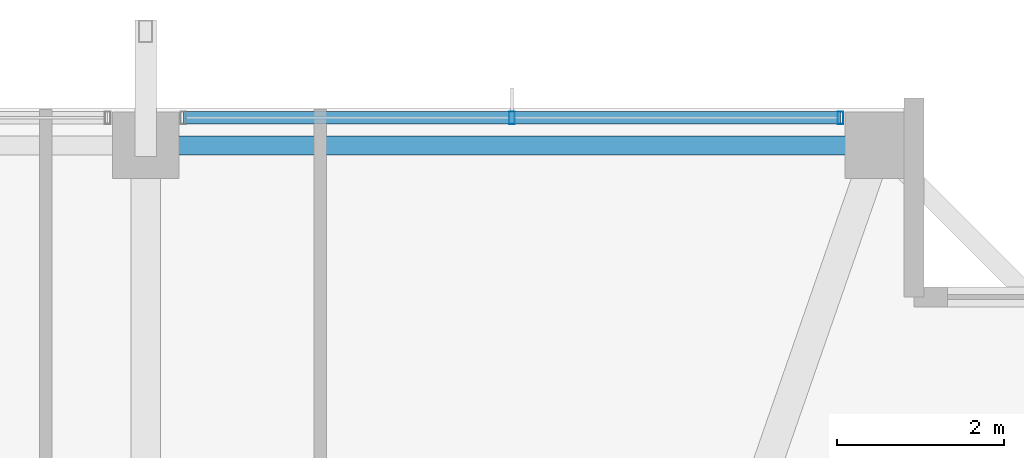
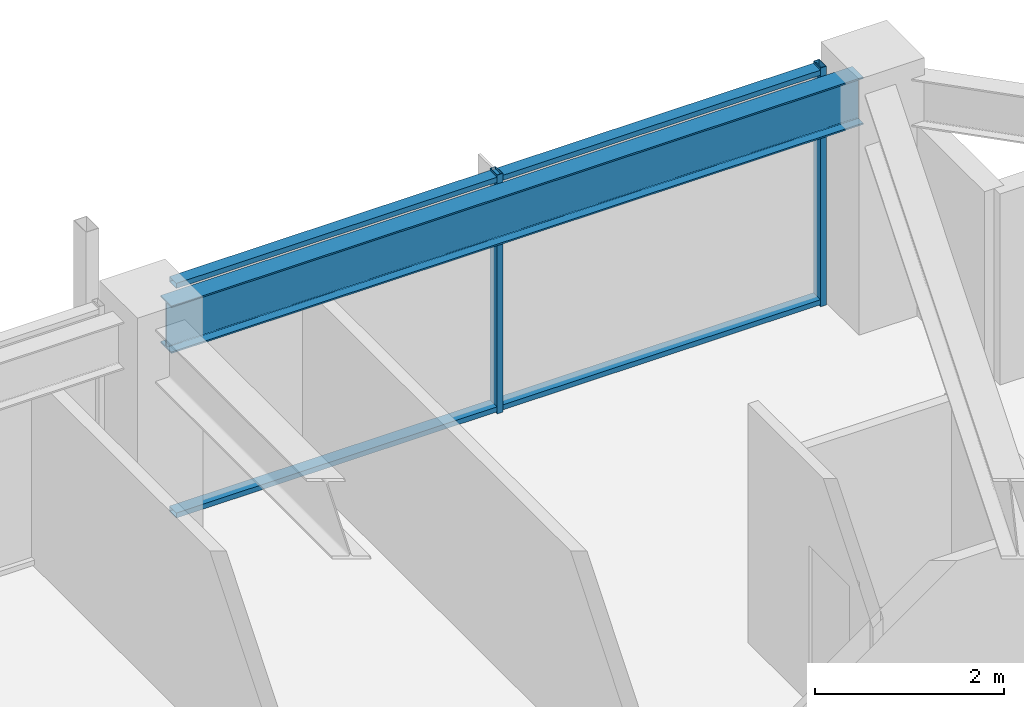
# One storey, part 21 of 35: 4 members, 1 beam, 1 element without a shape of its own.
"""IFC4 building model written with IfcOpenShell, lengths in metres."""

from ifc_helpers import new_model, si_unit, direction, frame, origin, origin_2d, place, context, subcontext, project, spatial, hollow_rectangle, i_section, extrude, material, material_profile, profile_set, type_object, element, aggregate, save


model = new_model("IFC4")

# Units and contexts
model_context = context("Model", 3, precision=1e-05, world=origin(), true_north=direction((0.0, 1.0)))
body_context = subcontext(model_context, "Body", "Model", "MODEL_VIEW")
ifc_project = project(units=[si_unit("LENGTHUNIT", "METRE"), si_unit("AREAUNIT", "SQUARE_METRE"), si_unit("VOLUMEUNIT", "CUBIC_METRE"), si_unit("PLANEANGLEUNIT", "RADIAN"), si_unit("MASSUNIT", "GRAM", prefix="KILO")], contexts=[model_context])

# Site, building, storey
site_placement = place(None, origin())
site = spatial("IfcSite", under=ifc_project, at=site_placement, CompositionType="ELEMENT")
building_placement = place(site_placement, origin())
building = spatial("IfcBuilding", under=site, at=building_placement, Name="Kolvaren Belvedere", CompositionType="ELEMENT")
storey_placement = place(building_placement, frame((0.0, 0.0, 216.300048828125)))
storey = spatial("IfcBuildingStorey", under=building, at=storey_placement, Name="L63", CompositionType="ELEMENT", Elevation=216.300048828125)

# Beam
ifc_material_1 = material(Name="Structural steel ASTM A992 Grade 50", Category="steel")
ifc_material_profile_1 = material_profile(ifc_material_1, i_section(OverallWidth=0.22900390625, OverallDepth=0.612060546875, WebThickness=0.011962890625, FlangeThickness=0.01953125, FilletRadius=0.01806640625, at=origin_2d()), Name="W24X84")
ifc_profile_set_1 = profile_set([ifc_material_profile_1], Name="Structural steel ASTM A992 Grade 50")
beam_type = type_object("IfcBeamType", Name="BM-SPAN-W24X84", PredefinedType="SPANDREL", material=ifc_profile_set_1)
beam_placement = place(storey_placement, frame((13.219970703125, 19.949951171875, 2.77392578125), z_axis=(-1.0, 0.0, 0.0), x_axis=(0.0, -1.0, 0.0)))
element("IfcBeam", 1, at=beam_placement, inside=storey, type_object=beam_type, Name="L63 Perimeter Spandrel N4-N3", PredefinedType="SPANDREL", context=body_context, shape_type="SweptSolid", body=[
    extrude(i_section(OverallWidth=0.22900390625, OverallDepth=0.612060546875, WebThickness=0.011962890625, FlangeThickness=0.01953125, FilletRadius=0.01806640625, at=origin_2d()), origin(), (0.0, 0.0, 1.0), 8.43994140625),
])

# Curtain wall, members
ifc_material_2 = material(Name="Anodised pale-metal aluminium AA 6063-T6", Category="aluminium")
curtain_wall_type = type_object("IfcCurtainWallType", Name="CW-Z5-HIGH", PredefinedType="NOTDEFINED", material=ifc_material_2)
curtain_wall_placement = place(storey_placement, origin())
curtain_wall = element("IfcCurtainWall", 2, at=curtain_wall_placement, inside=storey, type_object=curtain_wall_type, Name="L63 Unitised Curtain Wall FCW-L63-N-B3", PredefinedType="NOTDEFINED")
ifc_material_3 = material(Name="Anodised pale-metal aluminium AA 6063-T6", Category="aluminium")
ifc_material_profile_2 = material_profile(ifc_material_3, hollow_rectangle(XDim=0.070068359375, YDim=0.14990234375, WallThickness=0.004150390625, at=origin_2d()), Name="ALU-MUL-150X70")
ifc_profile_set_2 = profile_set([ifc_material_profile_2], Name="Anodised pale-metal aluminium AA 6063-T6")
member_type_1 = type_object("IfcMemberType", Name="CW-MUL-150", PredefinedType="MULLION", material=ifc_profile_set_2)
member_1_placement = place(storey_placement, frame((9.0, 20.280029296875, 0.0), z_axis=(0.0, 0.0, 1.0), x_axis=(1.0, 0.0, 0.0)))
member_1 = element("IfcMember", 3, at=member_1_placement, type_object=member_type_1, Name="FCW-L63-N-B3 Unitised Mullion 2", PredefinedType="MULLION", context=body_context, shape_type="SweptSolid", body=[
    extrude(hollow_rectangle(XDim=0.070068359375, YDim=0.14990234375, WallThickness=0.004150390625, at=origin_2d()), origin(), (0.0, 0.0, 1.0), 3.079833984375),
])
member_2_placement = place(storey_placement, frame((12.945068359375, 20.280029296875, 0.0), z_axis=(0.0, 0.0, 1.0), x_axis=(1.0, 0.0, 0.0)))
member_2 = element("IfcMember", 4, at=member_2_placement, type_object=member_type_1, Name="FCW-L63-N-B3 Unitised Mullion 3", PredefinedType="MULLION", context=body_context, shape_type="SweptSolid", body=[
    extrude(hollow_rectangle(XDim=0.070068359375, YDim=0.14990234375, WallThickness=0.004150390625, at=origin_2d()), origin(), (0.0, 0.0, 1.0), 3.079833984375),
])
ifc_material_4 = material(Name="Anodised pale-metal aluminium AA 6063-T6", Category="aluminium")
ifc_material_profile_3 = material_profile(ifc_material_4, hollow_rectangle(XDim=0.06494140625, YDim=0.14990234375, WallThickness=0.00390625, at=origin_2d()), Name="ALU-TRN-150X65")
ifc_profile_set_3 = profile_set([ifc_material_profile_3], Name="Anodised pale-metal aluminium AA 6063-T6")
member_type_2 = type_object("IfcMemberType", Name="CW-TRN-150", PredefinedType="USERDEFINED", material=ifc_profile_set_3)
member_3_placement = place(storey_placement, frame((5.054931640625, 20.280029296875, 0.06005859375), z_axis=(1.0, 0.0, 0.0), x_axis=(0.0, 0.0, 1.0)))
member_3 = element("IfcMember", 5, at=member_3_placement, type_object=member_type_2, Name="FCW-L63-N-B3 Sill Transom", ObjectType="TRANSOM", PredefinedType="USERDEFINED", context=body_context, shape_type="SweptSolid", body=[
    extrude(hollow_rectangle(XDim=0.06494140625, YDim=0.14990234375, WallThickness=0.00390625, at=origin_2d()), origin(), (0.0, 0.0, 1.0), 7.89013671875),
])
member_4_placement = place(storey_placement, frame((5.054931640625, 20.280029296875, 3.02001953125), z_axis=(1.0, 0.0, 0.0), x_axis=(0.0, 0.0, 1.0)))
member_4 = element("IfcMember", 6, at=member_4_placement, type_object=member_type_2, Name="FCW-L63-N-B3 Head Transom", ObjectType="TRANSOM", PredefinedType="USERDEFINED", context=body_context, shape_type="SweptSolid", body=[
    extrude(hollow_rectangle(XDim=0.06494140625, YDim=0.14990234375, WallThickness=0.00390625, at=origin_2d()), origin(), (0.0, 0.0, 1.0), 7.89013671875),
])
aggregate(curtain_wall, [member_1, member_2, member_3, member_4])

save(model, "model.ifc")
